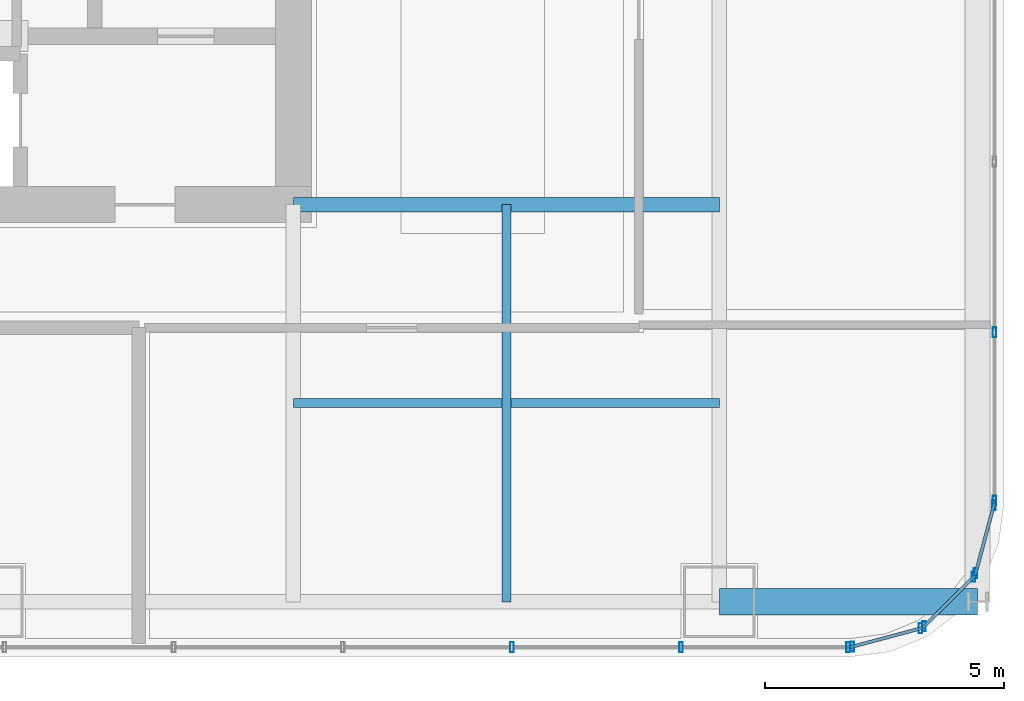
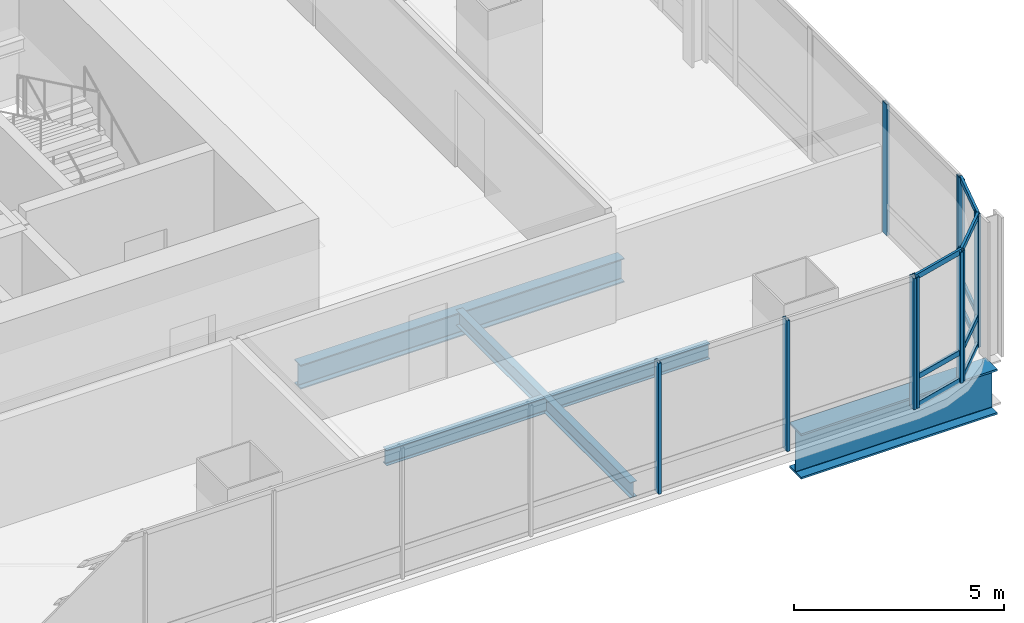
# One storey, part 13 of 34: 20 members, 4 beams, 5 elements without a shape of their own.
"""IFC4 building model written with IfcOpenShell, lengths in metres."""

from ifc_helpers import new_model, si_unit, direction, frame, origin, origin_2d, place, context, subcontext, project, spatial, hollow_rectangle, i_section, extrude, material, material_profile, profile_set, type_object, element, aggregate, save


model = new_model("IFC4")

# Units and contexts
model_context = context("Model", 3, precision=1e-05, world=origin(), true_north=direction((0.0, 1.0)))
body_context = subcontext(model_context, "Body", "Model", "MODEL_VIEW")
ifc_project = project(units=[si_unit("LENGTHUNIT", "METRE"), si_unit("AREAUNIT", "SQUARE_METRE"), si_unit("VOLUMEUNIT", "CUBIC_METRE"), si_unit("PLANEANGLEUNIT", "RADIAN"), si_unit("MASSUNIT", "GRAM", prefix="KILO")], contexts=[model_context])

# Site, building, storey
site_placement = place(None, origin())
site = spatial("IfcSite", under=ifc_project, at=site_placement, CompositionType="ELEMENT")
building_placement = place(site_placement, origin())
building = spatial("IfcBuilding", under=site, at=building_placement, Name="Punatoya Terracotta Tower", CompositionType="ELEMENT")
storey_placement = place(building_placement, frame((0.0, 0.0, 97.050048828125)))
storey = spatial("IfcBuildingStorey", under=building, at=storey_placement, Name="L22", CompositionType="ELEMENT", Elevation=97.050048828125)

# Beams
ifc_material_1 = material(Name="Steel S355", Category="steel")
ifc_material_profile_1 = material_profile(ifc_material_1, i_section(OverallWidth=0.300048828125, OverallDepth=0.699951171875, WebThickness=0.01708984375, FlangeThickness=0.031982421875, FilletRadius=0.01806640625, at=origin_2d()))
ifc_profile_set_1 = profile_set([ifc_material_profile_1], Name="Steel S355")
beam_type_1 = type_object("IfcBeamType", Name="BM-PRI-700", PredefinedType="BEAM", material=ifc_profile_set_1)
beam_1_placement = place(storey_placement, frame((10.199951171875, -9.199951171875, -0.590087890625), z_axis=(1.0, 0.0, 0.0), x_axis=(0.0, 1.0, 0.0)))
element("IfcBeam", 1, at=beam_1_placement, inside=storey, type_object=beam_type_1, Name="BM-L22-PR-ES", PredefinedType="BEAM", context=body_context, shape_type="SweptSolid", body=[
    extrude(i_section(OverallWidth=0.300048828125, OverallDepth=0.699951171875, WebThickness=0.01708984375, FlangeThickness=0.031982421875, FilletRadius=0.01806640625, at=origin_2d()), origin(), (0.0, 0.0, 1.0), 8.900146484375),
])
ifc_material_profile_2 = material_profile(ifc_material_1, i_section(OverallWidth=0.18994140625, OverallDepth=0.449951171875, WebThickness=0.009521484375, FlangeThickness=0.0146484375, FilletRadius=0.01806640625, at=origin_2d()))
ifc_profile_set_2 = profile_set([ifc_material_profile_2], Name="Steel S355")
beam_type_2 = type_object("IfcBeamType", Name="BM-SEC-450", PredefinedType="JOIST", material=ifc_profile_set_2)
beam_2_placement = place(storey_placement, frame((10.199951171875, -13.35009765625, -0.465087890625), z_axis=(1.0, 0.0, 0.0), x_axis=(0.0, 1.0, 0.0)))
element("IfcBeam", 2, at=beam_2_placement, inside=storey, type_object=beam_type_2, Name="BM-L22-SJS-2", PredefinedType="JOIST", context=body_context, shape_type="SweptSolid", body=[
    extrude(i_section(OverallWidth=0.18994140625, OverallDepth=0.449951171875, WebThickness=0.009521484375, FlangeThickness=0.0146484375, FilletRadius=0.01806640625, at=origin_2d()), origin(), (0.0, 0.0, 1.0), 8.900146484375),
])
beam_3_placement = place(storey_placement, frame((14.64990234375, -17.5, -0.465087890625), z_axis=(0.0, 1.0, 0.0), x_axis=(-1.0, 0.0, 0.0)))
element("IfcBeam", 3, at=beam_3_placement, inside=storey, type_object=beam_type_2, Name="BM-L22-SJE-1", PredefinedType="JOIST", context=body_context, shape_type="SweptSolid", body=[
    extrude(i_section(OverallWidth=0.18994140625, OverallDepth=0.449951171875, WebThickness=0.009521484375, FlangeThickness=0.0146484375, FilletRadius=0.01806640625, at=origin_2d()), origin(), (0.0, 0.0, 1.0), 8.300048828125),
])
ifc_material_2 = material(Name="Steel S460", Category="steel")
ifc_material_profile_3 = material_profile(ifc_material_2, i_section(OverallWidth=0.56005859375, OverallDepth=1.320068359375, WebThickness=0.035888671875, FlangeThickness=0.054931640625, FilletRadius=0.01806640625, at=origin_2d()))
ifc_profile_set_3 = profile_set([ifc_material_profile_3], Name="Steel S460")
beam_type_3 = type_object("IfcBeamType", Name="BM-TG-BLK", PredefinedType="BEAM", material=ifc_profile_set_3)
beam_4_placement = place(storey_placement, frame((19.10009765625, -17.5, -0.900146484375), z_axis=(1.0, 0.0, 0.0), x_axis=(0.0, 1.0, 0.0)))
element("IfcBeam", 4, at=beam_4_placement, inside=storey, type_object=beam_type_3, Name="BM-L22-CANT-E1", PredefinedType="BEAM", context=body_context, shape_type="SweptSolid", body=[
    extrude(i_section(OverallWidth=0.56005859375, OverallDepth=1.320068359375, WebThickness=0.035888671875, FlangeThickness=0.054931640625, FilletRadius=0.01806640625, at=origin_2d()), origin(), (0.0, 0.0, 1.0), 5.39990234375),
])

# Curtain wall, members
ifc_material_3 = material(Name="Aluminium 6063-T6 + Double Low-E Glass", Category="aluminium")
curtain_wall_type = type_object("IfcCurtainWallType", Name="CW-M1", PredefinedType="NOTDEFINED", material=ifc_material_3)
curtain_wall_1_placement = place(storey_placement, origin())
curtain_wall_1 = element("IfcCurtainWall", 5, at=curtain_wall_1_placement, inside=storey, type_object=curtain_wall_type, Name="L22 Curtain Wall CW-L22-S01-1", PredefinedType="NOTDEFINED")
ifc_material_4 = material(Name="Aluminium 6063-T6", Category="aluminium")
ifc_material_profile_4 = material_profile(ifc_material_4, hollow_rectangle(XDim=0.074951171875, YDim=0.2099609375, WallThickness=0.00439453125, at=origin_2d()))
ifc_profile_set_4 = profile_set([ifc_material_profile_4], Name="Aluminium 6063-T6")
member_type_1 = type_object("IfcMemberType", Name="CW-MUL-M1", PredefinedType="MULLION", material=ifc_profile_set_4)
member_1_placement = place(storey_placement, frame((14.768798828125, -18.449951171875, 0.0), z_axis=(0.0, 0.0, 1.0), x_axis=(1.0, 0.0, 0.0)))
member_1 = element("IfcMember", 6, at=member_1_placement, type_object=member_type_1, Name="CW-L22-S01-1 Mullion 09", PredefinedType="MULLION", context=body_context, shape_type="SweptSolid", body=[
    extrude(hollow_rectangle(XDim=0.074951171875, YDim=0.2099609375, WallThickness=0.00439453125, at=origin_2d()), origin(), (0.0, 0.0, 1.0), 3.81005859375),
])
member_2_placement = place(storey_placement, frame((18.302978515625, -18.449951171875, 0.0), z_axis=(0.0, 0.0, 1.0), x_axis=(1.0, 0.0, 0.0)))
member_2 = element("IfcMember", 7, at=member_2_placement, type_object=member_type_1, Name="CW-L22-S01-1 Mullion 10", PredefinedType="MULLION", context=body_context, shape_type="SweptSolid", body=[
    extrude(hollow_rectangle(XDim=0.074951171875, YDim=0.2099609375, WallThickness=0.00439453125, at=origin_2d()), origin(), (0.0, 0.0, 1.0), 3.81005859375),
])
member_3_placement = place(storey_placement, frame((21.7919921875, -18.449951171875, 0.0), z_axis=(0.0, 0.0, 1.0), x_axis=(1.0, 0.0, 0.0)))
member_3 = element("IfcMember", 8, at=member_3_placement, type_object=member_type_1, Name="CW-L22-S01-1 Mullion 11", PredefinedType="MULLION", context=body_context, shape_type="SweptSolid", body=[
    extrude(hollow_rectangle(XDim=0.074951171875, YDim=0.2099609375, WallThickness=0.00439453125, at=origin_2d()), origin(), (0.0, 0.0, 1.0), 3.81005859375),
])
aggregate(curtain_wall_1, [member_1, member_2, member_3])

curtain_wall_2_placement = place(storey_placement, origin())
curtain_wall_2 = element("IfcCurtainWall", 9, at=curtain_wall_2_placement, inside=storey, type_object=curtain_wall_type, Name="L22 Curtain Wall CW-L22-CRN02", PredefinedType="NOTDEFINED")
member_4_placement = place(storey_placement, frame((21.88037109375, -18.4384765625, 0.0), z_axis=(0.0, 0.0, 1.0), x_axis=(1.0, 0.0, 0.0)))
member_4 = element("IfcMember", 10, at=member_4_placement, type_object=member_type_1, Name="CW-L22-CRN02 Mullion 00", PredefinedType="MULLION", context=body_context, shape_type="SweptSolid", body=[
    extrude(hollow_rectangle(XDim=0.074951171875, YDim=0.2099609375, WallThickness=0.00439453125, at=origin_2d()), origin(), (0.0, 0.0, 1.0), 3.81005859375),
])
member_5_placement = place(storey_placement, frame((23.3056640625, -18.05810546875, 0.0), z_axis=(0.0, 0.0, 1.0), x_axis=(1.0, 0.0, 0.0)))
member_5 = element("IfcMember", 11, at=member_5_placement, type_object=member_type_1, Name="CW-L22-CRN02 Mullion 01", PredefinedType="MULLION", context=body_context, shape_type="SweptSolid", body=[
    extrude(hollow_rectangle(XDim=0.074951171875, YDim=0.2099609375, WallThickness=0.00439453125, at=origin_2d()), origin(), (0.0, 0.0, 1.0), 3.81005859375),
])

curtain_wall_3_placement = place(storey_placement, origin())
curtain_wall_3 = element("IfcCurtainWall", 12, at=curtain_wall_3_placement, inside=storey, type_object=curtain_wall_type, Name="L22 Curtain Wall CW-L22-CRN03", PredefinedType="NOTDEFINED")
member_6_placement = place(storey_placement, frame((23.380859375, -18.014892578125, 0.0), z_axis=(0.0, 0.0, 1.0), x_axis=(1.0, 0.0, 0.0)))
member_6 = element("IfcMember", 13, at=member_6_placement, type_object=member_type_1, Name="CW-L22-CRN03 Mullion 00", PredefinedType="MULLION", context=body_context, shape_type="SweptSolid", body=[
    extrude(hollow_rectangle(XDim=0.074951171875, YDim=0.2099609375, WallThickness=0.00439453125, at=origin_2d()), origin(), (0.0, 0.0, 1.0), 3.81005859375),
])
member_7_placement = place(storey_placement, frame((24.414794921875, -16.98095703125, 0.0), z_axis=(0.0, 0.0, 1.0), x_axis=(1.0, 0.0, 0.0)))
member_7 = element("IfcMember", 14, at=member_7_placement, type_object=member_type_1, Name="CW-L22-CRN03 Mullion 01", PredefinedType="MULLION", context=body_context, shape_type="SweptSolid", body=[
    extrude(hollow_rectangle(XDim=0.074951171875, YDim=0.2099609375, WallThickness=0.00439453125, at=origin_2d()), origin(), (0.0, 0.0, 1.0), 3.81005859375),
])

curtain_wall_4_placement = place(storey_placement, origin())
curtain_wall_4 = element("IfcCurtainWall", 15, at=curtain_wall_4_placement, inside=storey, type_object=curtain_wall_type, Name="L22 Curtain Wall CW-L22-CRN04", PredefinedType="NOTDEFINED")
member_8_placement = place(storey_placement, frame((24.458251953125, -16.905517578125, 0.0), z_axis=(0.0, 0.0, 1.0), x_axis=(1.0, 0.0, 0.0)))
member_8 = element("IfcMember", 16, at=member_8_placement, type_object=member_type_1, Name="CW-L22-CRN04 Mullion 00", PredefinedType="MULLION", context=body_context, shape_type="SweptSolid", body=[
    extrude(hollow_rectangle(XDim=0.074951171875, YDim=0.2099609375, WallThickness=0.00439453125, at=origin_2d()), origin(), (0.0, 0.0, 1.0), 3.81005859375),
])
member_9_placement = place(storey_placement, frame((24.83837890625, -15.48046875, 0.0), z_axis=(0.0, 0.0, 1.0), x_axis=(1.0, 0.0, 0.0)))
member_9 = element("IfcMember", 17, at=member_9_placement, type_object=member_type_1, Name="CW-L22-CRN04 Mullion 01", PredefinedType="MULLION", context=body_context, shape_type="SweptSolid", body=[
    extrude(hollow_rectangle(XDim=0.074951171875, YDim=0.2099609375, WallThickness=0.00439453125, at=origin_2d()), origin(), (0.0, 0.0, 1.0), 3.81005859375),
])

curtain_wall_5_placement = place(storey_placement, origin())
curtain_wall_5 = element("IfcCurtainWall", 18, at=curtain_wall_5_placement, inside=storey, type_object=curtain_wall_type, Name="L22 Curtain Wall CW-L22-E05-1", PredefinedType="NOTDEFINED")
member_10_placement = place(storey_placement, frame((24.85009765625, -15.391845703125, 0.0), z_axis=(0.0, 0.0, 1.0), x_axis=(1.0, 0.0, 0.0)))
member_10 = element("IfcMember", 19, at=member_10_placement, type_object=member_type_1, Name="CW-L22-E05-1 Mullion 00", PredefinedType="MULLION", context=body_context, shape_type="SweptSolid", body=[
    extrude(hollow_rectangle(XDim=0.074951171875, YDim=0.2099609375, WallThickness=0.00439453125, at=origin_2d()), origin(), (0.0, 0.0, 1.0), 3.81005859375),
])
member_11_placement = place(storey_placement, frame((24.85009765625, -11.869384765625, 0.0), z_axis=(0.0, 0.0, 1.0), x_axis=(1.0, 0.0, 0.0)))
member_11 = element("IfcMember", 20, at=member_11_placement, type_object=member_type_1, Name="CW-L22-E05-1 Mullion 01", PredefinedType="MULLION", context=body_context, shape_type="SweptSolid", body=[
    extrude(hollow_rectangle(XDim=0.074951171875, YDim=0.2099609375, WallThickness=0.00439453125, at=origin_2d()), origin(), (0.0, 0.0, 1.0), 3.81005859375),
])
aggregate(curtain_wall_5, [member_10, member_11])

# Member
ifc_material_profile_5 = material_profile(ifc_material_4, hollow_rectangle(XDim=0.068115234375, YDim=0.14990234375, WallThickness=0.00390625, at=origin_2d()))
ifc_profile_set_5 = profile_set([ifc_material_profile_5], Name="Aluminium 6063-T6")
member_type_2 = type_object("IfcMemberType", Name="CW-TRN-TYP", PredefinedType="USERDEFINED", material=ifc_profile_set_5)
member_12_placement = place(storey_placement, frame((21.8369140625, -18.449951171875, 0.0400390625), z_axis=(0.966224582397, 0.257701486942, 0.0), x_axis=(-0.257701486942, 0.966224582397, 0.0)))
member_12 = element("IfcMember", 21, at=member_12_placement, type_object=member_type_2, Name="CW-L22-CRN02 Transom 1", ObjectType="TRANSOM", PredefinedType="USERDEFINED", context=body_context, shape_type="SweptSolid", body=[
    extrude(hollow_rectangle(XDim=0.068115234375, YDim=0.14990234375, WallThickness=0.00390625, at=origin_2d()), origin(), (0.0, 0.0, 1.0), 1.565185546875),
])

member_13_placement = place(storey_placement, frame((21.8369140625, -18.449951171875, 0.849853515625), z_axis=(0.966224582397, 0.257701486942, 0.0), x_axis=(-0.257701486942, 0.966224582397, 0.0)))
member_13 = element("IfcMember", 22, at=member_13_placement, type_object=member_type_2, Name="CW-L22-CRN02 Transom 2", ObjectType="TRANSOM", PredefinedType="USERDEFINED", context=body_context, shape_type="SweptSolid", body=[
    extrude(hollow_rectangle(XDim=0.068115234375, YDim=0.14990234375, WallThickness=0.00390625, at=origin_2d()), origin(), (0.0, 0.0, 1.0), 1.565185546875),
])

member_14_placement = place(storey_placement, frame((21.8369140625, -18.449951171875, 3.77001953125), z_axis=(0.966224582397, 0.257701486942, 0.0), x_axis=(-0.257701486942, 0.966224582397, 0.0)))
member_14 = element("IfcMember", 23, at=member_14_placement, type_object=member_type_2, Name="CW-L22-CRN02 Transom 3", ObjectType="TRANSOM", PredefinedType="USERDEFINED", context=body_context, shape_type="SweptSolid", body=[
    extrude(hollow_rectangle(XDim=0.068115234375, YDim=0.14990234375, WallThickness=0.00390625, at=origin_2d()), origin(), (0.0, 0.0, 1.0), 1.565185546875),
])

aggregate(curtain_wall_2, [member_4, member_5, member_12, member_13, member_14])

member_15_placement = place(storey_placement, frame((23.34912109375, -18.046630859375, 0.0400390625), z_axis=(0.707106781187, 0.707106781187, 0.0), x_axis=(-0.707106781187, 0.707106781187, 0.0)))
member_15 = element("IfcMember", 24, at=member_15_placement, type_object=member_type_2, Name="CW-L22-CRN03 Transom 1", ObjectType="TRANSOM", PredefinedType="USERDEFINED", context=body_context, shape_type="SweptSolid", body=[
    extrude(hollow_rectangle(XDim=0.068115234375, YDim=0.14990234375, WallThickness=0.00390625, at=origin_2d()), origin(), (0.0, 0.0, 1.0), 1.552001953125),
])

member_16_placement = place(storey_placement, frame((23.34912109375, -18.046630859375, 0.849853515625), z_axis=(0.707106781187, 0.707106781187, 0.0), x_axis=(-0.707106781187, 0.707106781187, 0.0)))
member_16 = element("IfcMember", 25, at=member_16_placement, type_object=member_type_2, Name="CW-L22-CRN03 Transom 2", ObjectType="TRANSOM", PredefinedType="USERDEFINED", context=body_context, shape_type="SweptSolid", body=[
    extrude(hollow_rectangle(XDim=0.068115234375, YDim=0.14990234375, WallThickness=0.00390625, at=origin_2d()), origin(), (0.0, 0.0, 1.0), 1.552001953125),
])

member_17_placement = place(storey_placement, frame((23.34912109375, -18.046630859375, 3.77001953125), z_axis=(0.707106781187, 0.707106781187, 0.0), x_axis=(-0.707106781187, 0.707106781187, 0.0)))
member_17 = element("IfcMember", 26, at=member_17_placement, type_object=member_type_2, Name="CW-L22-CRN03 Transom 3", ObjectType="TRANSOM", PredefinedType="USERDEFINED", context=body_context, shape_type="SweptSolid", body=[
    extrude(hollow_rectangle(XDim=0.068115234375, YDim=0.14990234375, WallThickness=0.00390625, at=origin_2d()), origin(), (0.0, 0.0, 1.0), 1.552001953125),
])

aggregate(curtain_wall_3, [member_6, member_7, member_15, member_16, member_17])

member_18_placement = place(storey_placement, frame((24.446533203125, -16.94921875, 0.0400390625), z_axis=(0.257847112249, 0.966185730957, 0.0), x_axis=(-0.966185730957, 0.257847112249, 0.0)))
member_18 = element("IfcMember", 27, at=member_18_placement, type_object=member_type_2, Name="CW-L22-CRN04 Transom 1", ObjectType="TRANSOM", PredefinedType="USERDEFINED", context=body_context, shape_type="SweptSolid", body=[
    extrude(hollow_rectangle(XDim=0.068115234375, YDim=0.14990234375, WallThickness=0.00390625, at=origin_2d()), origin(), (0.0, 0.0, 1.0), 1.565185546875),
])

member_19_placement = place(storey_placement, frame((24.446533203125, -16.94921875, 0.849853515625), z_axis=(0.257847112249, 0.966185730957, 0.0), x_axis=(-0.966185730957, 0.257847112249, 0.0)))
member_19 = element("IfcMember", 28, at=member_19_placement, type_object=member_type_2, Name="CW-L22-CRN04 Transom 2", ObjectType="TRANSOM", PredefinedType="USERDEFINED", context=body_context, shape_type="SweptSolid", body=[
    extrude(hollow_rectangle(XDim=0.068115234375, YDim=0.14990234375, WallThickness=0.00390625, at=origin_2d()), origin(), (0.0, 0.0, 1.0), 1.565185546875),
])

member_20_placement = place(storey_placement, frame((24.446533203125, -16.94921875, 3.77001953125), z_axis=(0.257847112249, 0.966185730957, 0.0), x_axis=(-0.966185730957, 0.257847112249, 0.0)))
member_20 = element("IfcMember", 29, at=member_20_placement, type_object=member_type_2, Name="CW-L22-CRN04 Transom 3", ObjectType="TRANSOM", PredefinedType="USERDEFINED", context=body_context, shape_type="SweptSolid", body=[
    extrude(hollow_rectangle(XDim=0.068115234375, YDim=0.14990234375, WallThickness=0.00390625, at=origin_2d()), origin(), (0.0, 0.0, 1.0), 1.565185546875),
])

aggregate(curtain_wall_4, [member_8, member_9, member_18, member_19, member_20])

save(model, "model.ifc")
